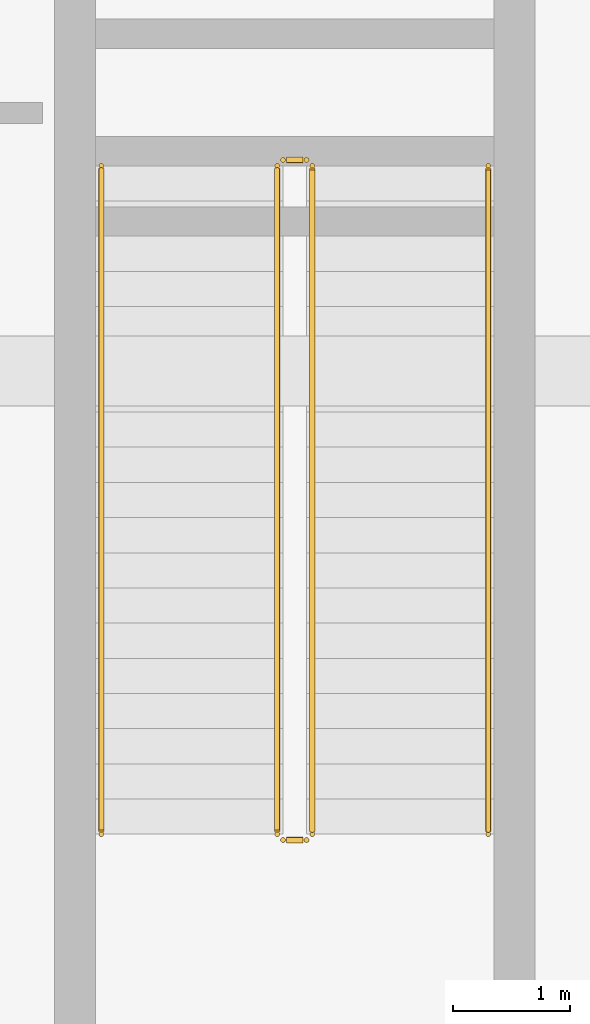
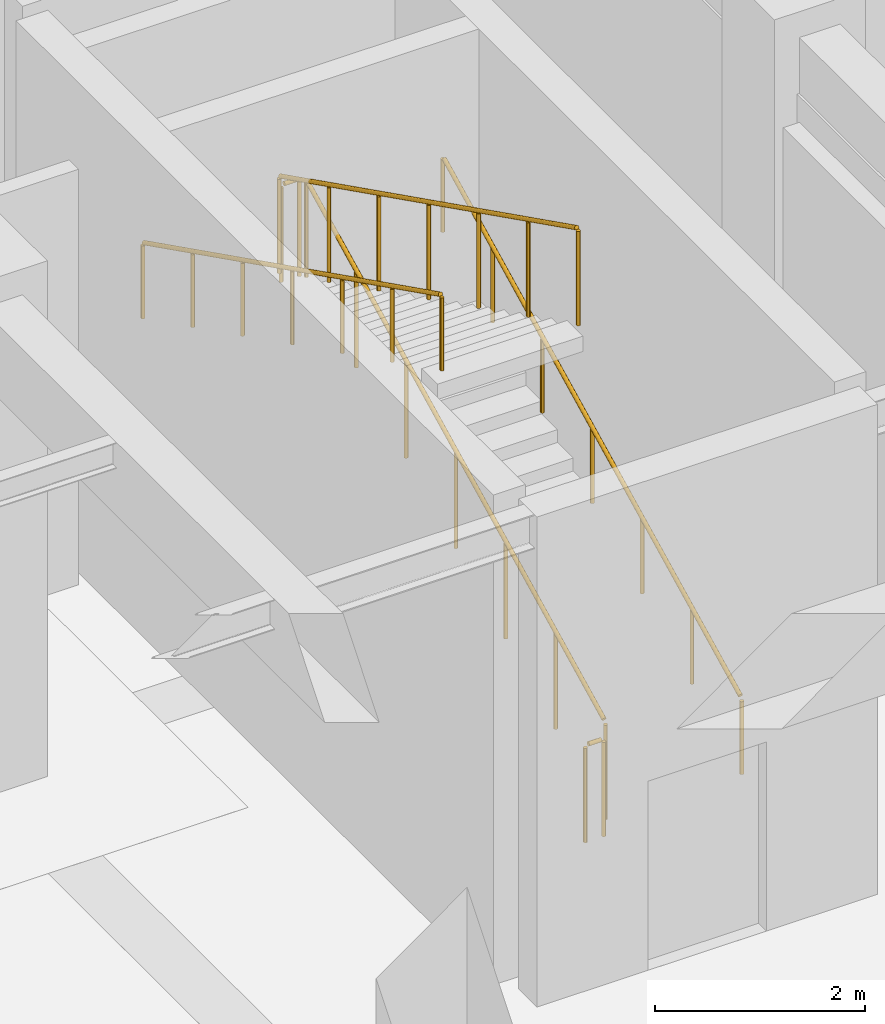
# One storey, part 33 of 36: 6 railings.
"""IFC4 building model written with IfcOpenShell, lengths in metres."""

from ifc_helpers import new_model, si_unit, direction, frame, origin, origin_2d, place, context, subcontext, project, spatial, circle, extrude, material, type_object, element, save


model = new_model("IFC4")

# Units and contexts
model_context = context("Model", 3, precision=1e-05, world=origin(), true_north=direction((0.0, 1.0)))
body_context = subcontext(model_context, "Body", "Model", "MODEL_VIEW")
ifc_project = project(units=[si_unit("LENGTHUNIT", "METRE"), si_unit("AREAUNIT", "SQUARE_METRE"), si_unit("VOLUMEUNIT", "CUBIC_METRE"), si_unit("PLANEANGLEUNIT", "RADIAN"), si_unit("MASSUNIT", "GRAM", prefix="KILO")], contexts=[model_context])

# Site, building, storey
site_placement = place(None, origin())
site = spatial("IfcSite", under=ifc_project, at=site_placement, CompositionType="ELEMENT")
building_placement = place(site_placement, origin())
building = spatial("IfcBuilding", under=site, at=building_placement, Name="Haizhuo Lancet Aquarium", CompositionType="ELEMENT")
storey_placement = place(building_placement, frame((0.0, 0.0, -6.0)))
storey = spatial("IfcBuildingStorey", under=building, at=storey_placement, Name="B1", CompositionType="ELEMENT", Elevation=-6.0)

# Railings
ifc_material = material(Name="Steel S355", Category="steel")
railing_type_1 = type_object("IfcRailingType", Name="RL-GRD-1150", PredefinedType="GUARDRAIL", material=ifc_material)
railing_1_placement = place(storey_placement, frame((58.64990234375, -21.949951171875, 0.14990234375)))
element("IfcRailing", 1, at=railing_1_placement, inside=storey, type_object=railing_type_1, Name="B1 ST-05 stair guard 1", PredefinedType="GUARDRAIL", context=body_context, shape_type="SweptSolid", body=[
    extrude(circle(Radius=0.02392578125, at=origin_2d()), frame((0.0, 0.02685546875, 1.13916015625), z_axis=(0.0, 0.894419528903, 0.447228919365), x_axis=(-1.0, 0.0, 0.0)), (0.0, 0.0, 1.0), 6.312744140625),
    extrude(circle(Radius=0.02099609375, at=origin_2d()), origin(), (0.0, 0.0, 1.0), 1.097900390625),
    extrude(circle(Radius=0.02099609375, at=origin_2d()), frame((0.0, 0.949951171875, 0.47509765625)), (0.0, 0.0, 1.0), 1.097900390625),
    extrude(circle(Radius=0.02099609375, at=origin_2d()), frame((0.0, 1.89990234375, 0.949951171875)), (0.0, 0.0, 1.0), 1.097900390625),
    extrude(circle(Radius=0.02099609375, at=origin_2d()), frame((0.0, 2.85009765625, 1.425048828125)), (0.0, 0.0, 1.0), 1.097900390625),
    extrude(circle(Radius=0.02099609375, at=origin_2d()), frame((0.0, 3.800048828125, 1.900146484375)), (0.0, 0.0, 1.0), 1.097900390625),
    extrude(circle(Radius=0.02099609375, at=origin_2d()), frame((0.0, 4.75, 2.375)), (0.0, 0.0, 1.0), 1.097900390625),
    extrude(circle(Radius=0.02099609375, at=origin_2d()), frame((0.0, 5.699951171875, 2.85009765625)), (0.0, 0.0, 1.0), 1.097900390625),
])
railing_2_placement = place(storey_placement, frame((58.60009765625, -16.199951171875, 3.0)))
element("IfcRailing", 2, at=railing_2_placement, inside=storey, type_object=railing_type_1, Name="B1 ST-05 stair guard 2", PredefinedType="GUARDRAIL", context=body_context, shape_type="SweptSolid", body=[
    extrude(circle(Radius=0.02392578125, at=origin_2d()), frame((-0.030029296875, 0.0, 1.1259765625), z_axis=(-1.0, 0.0, 0.0), x_axis=(0.0, -1.0, 0.0)), (0.0, 0.0, 1.0), 0.14013671875),
    extrude(circle(Radius=0.02099609375, at=origin_2d()), origin(), (0.0, 0.0, 1.0), 1.097900390625),
    extrude(circle(Radius=0.02099609375, at=origin_2d()), frame((-0.2001953125, 0.0, 0.0)), (0.0, 0.0, 1.0), 1.097900390625),
])
railing_3_placement = place(storey_placement, frame((58.35009765625, -16.25, 3.14990234375)))
element("IfcRailing", 3, at=railing_3_placement, inside=storey, type_object=railing_type_1, Name="B1 ST-05 stair guard 3", PredefinedType="GUARDRAIL", context=body_context, shape_type="SweptSolid", body=[
    extrude(circle(Radius=0.02392578125, at=origin_2d()), frame((0.0, -0.02685546875, 1.13916015625), z_axis=(0.0, -0.894419528903, 0.447228919365), x_axis=(1.0, 0.0, 0.0)), (0.0, 0.0, 1.0), 6.312744140625),
    extrude(circle(Radius=0.02099609375, at=origin_2d()), origin(), (0.0, 0.0, 1.0), 1.097900390625),
    extrude(circle(Radius=0.02099609375, at=origin_2d()), frame((0.0, -0.949951171875, 0.47509765625)), (0.0, 0.0, 1.0), 1.097900390625),
    extrude(circle(Radius=0.02099609375, at=origin_2d()), frame((0.0, -1.89990234375, 0.949951171875)), (0.0, 0.0, 1.0), 1.097900390625),
    extrude(circle(Radius=0.02099609375, at=origin_2d()), frame((0.0, -2.85009765625, 1.425048828125)), (0.0, 0.0, 1.0), 1.097900390625),
    extrude(circle(Radius=0.02099609375, at=origin_2d()), frame((0.0, -3.800048828125, 1.900146484375)), (0.0, 0.0, 1.0), 1.097900390625),
    extrude(circle(Radius=0.02099609375, at=origin_2d()), frame((0.0, -4.75, 2.375)), (0.0, 0.0, 1.0), 1.097900390625),
    extrude(circle(Radius=0.02099609375, at=origin_2d()), frame((0.0, -5.699951171875, 2.85009765625)), (0.0, 0.0, 1.0), 1.097900390625),
])
railing_4_placement = place(storey_placement, frame((58.60009765625, -22.0, 0.0)))
element("IfcRailing", 4, at=railing_4_placement, inside=storey, type_object=railing_type_1, Name="B1 ST-05 stair guard 4", PredefinedType="GUARDRAIL", context=body_context, shape_type="SweptSolid", body=[
    extrude(circle(Radius=0.02392578125, at=origin_2d()), frame((-0.030029296875, 0.0, 1.1259765625), z_axis=(-1.0, 0.0, 0.0), x_axis=(0.0, -1.0, 0.0)), (0.0, 0.0, 1.0), 0.14013671875),
    extrude(circle(Radius=0.02099609375, at=origin_2d()), origin(), (0.0, 0.0, 1.0), 1.097900390625),
    extrude(circle(Radius=0.02099609375, at=origin_2d()), frame((-0.2001953125, 0.0, 0.0)), (0.0, 0.0, 1.0), 1.097900390625),
])
railing_type_2 = type_object("IfcRailingType", Name="RL-HDR-900", PredefinedType="HANDRAIL", material=ifc_material)
railing_5_placement = place(storey_placement, frame((60.14990234375, -21.949951171875, 0.14990234375)))
element("IfcRailing", 5, at=railing_5_placement, inside=storey, type_object=railing_type_2, Name="B1 ST-05 pitch handrail 1", PredefinedType="HANDRAIL", context=body_context, shape_type="SweptSolid", body=[
    extrude(circle(Radius=0.02392578125, at=origin_2d()), frame((0.0, 0.02685546875, 0.88916015625), z_axis=(0.0, 0.894419528903, 0.447228919365), x_axis=(-1.0, 0.0, 0.0)), (0.0, 0.0, 1.0), 6.312744140625),
    extrude(circle(Radius=0.02099609375, at=origin_2d()), origin(), (0.0, 0.0, 1.0), 0.847900390625),
    extrude(circle(Radius=0.02099609375, at=origin_2d()), frame((0.0, 0.949951171875, 0.47509765625)), (0.0, 0.0, 1.0), 0.847900390625),
    extrude(circle(Radius=0.02099609375, at=origin_2d()), frame((0.0, 1.89990234375, 0.949951171875)), (0.0, 0.0, 1.0), 0.847900390625),
    extrude(circle(Radius=0.02099609375, at=origin_2d()), frame((0.0, 2.85009765625, 1.425048828125)), (0.0, 0.0, 1.0), 0.847900390625),
    extrude(circle(Radius=0.02099609375, at=origin_2d()), frame((0.0, 3.800048828125, 1.900146484375)), (0.0, 0.0, 1.0), 0.847900390625),
    extrude(circle(Radius=0.02099609375, at=origin_2d()), frame((0.0, 4.75, 2.375)), (0.0, 0.0, 1.0), 0.847900390625),
    extrude(circle(Radius=0.02099609375, at=origin_2d()), frame((0.0, 5.699951171875, 2.85009765625)), (0.0, 0.0, 1.0), 0.847900390625),
])
railing_6_placement = place(storey_placement, frame((56.85009765625, -16.25, 3.14990234375)))
element("IfcRailing", 6, at=railing_6_placement, inside=storey, type_object=railing_type_2, Name="B1 ST-05 pitch handrail 2", PredefinedType="HANDRAIL", context=body_context, shape_type="SweptSolid", body=[
    extrude(circle(Radius=0.02392578125, at=origin_2d()), frame((0.0, -0.02685546875, 0.88916015625), z_axis=(0.0, -0.894419528903, 0.447228919365), x_axis=(1.0, 0.0, 0.0)), (0.0, 0.0, 1.0), 6.312744140625),
    extrude(circle(Radius=0.02099609375, at=origin_2d()), origin(), (0.0, 0.0, 1.0), 0.847900390625),
    extrude(circle(Radius=0.02099609375, at=origin_2d()), frame((0.0, -0.949951171875, 0.47509765625)), (0.0, 0.0, 1.0), 0.847900390625),
    extrude(circle(Radius=0.02099609375, at=origin_2d()), frame((0.0, -1.89990234375, 0.949951171875)), (0.0, 0.0, 1.0), 0.847900390625),
    extrude(circle(Radius=0.02099609375, at=origin_2d()), frame((0.0, -2.85009765625, 1.425048828125)), (0.0, 0.0, 1.0), 0.847900390625),
    extrude(circle(Radius=0.02099609375, at=origin_2d()), frame((0.0, -3.800048828125, 1.900146484375)), (0.0, 0.0, 1.0), 0.847900390625),
    extrude(circle(Radius=0.02099609375, at=origin_2d()), frame((0.0, -4.75, 2.375)), (0.0, 0.0, 1.0), 0.847900390625),
    extrude(circle(Radius=0.02099609375, at=origin_2d()), frame((0.0, -5.699951171875, 2.85009765625)), (0.0, 0.0, 1.0), 0.847900390625),
])

save(model, "model.ifc")
